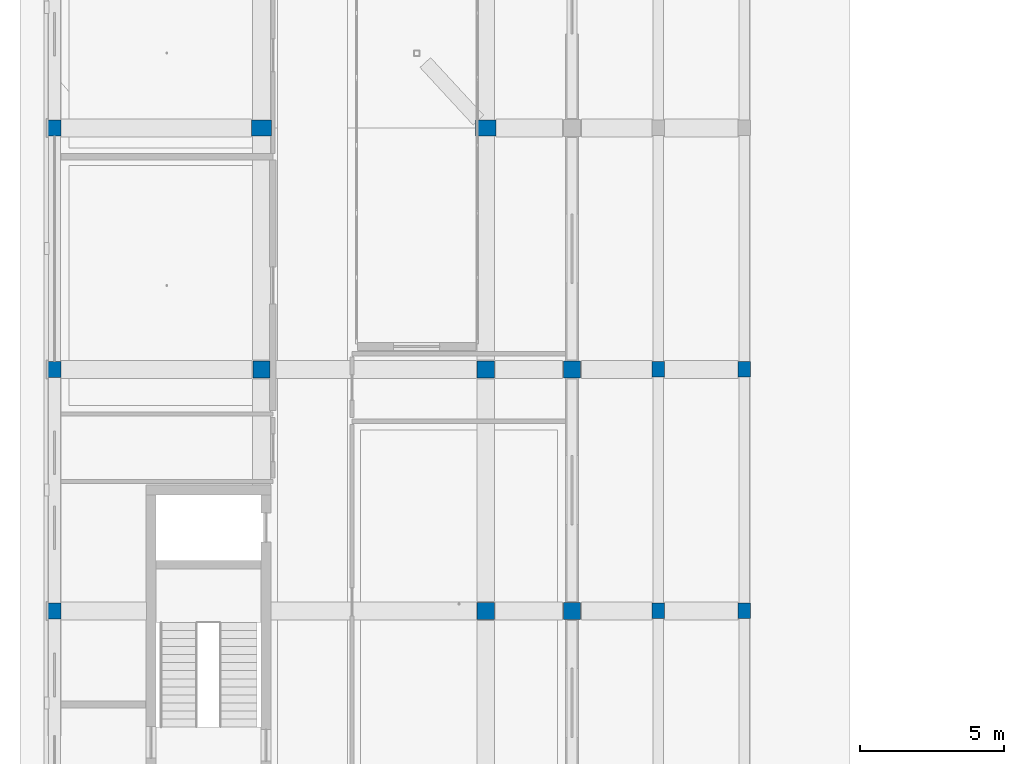
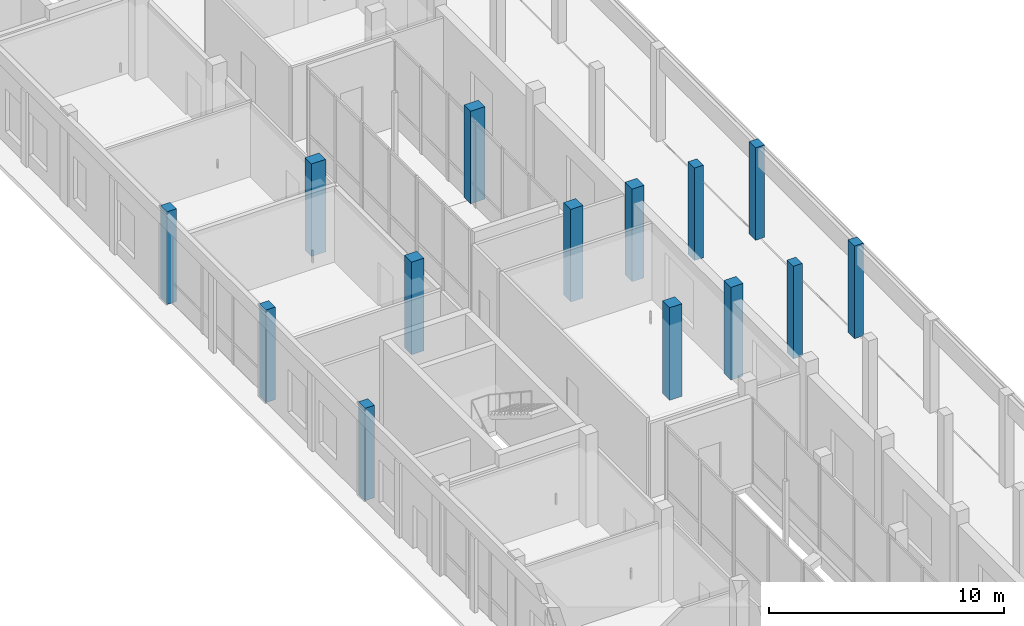
# One storey, part 3 of 88: 14 columns.
"""IFC4 building model written with IfcOpenShell, lengths in metres."""

from ifc_helpers import new_model, si_unit, derived_unit, direction, frame, origin, origin_2d, place, context, subcontext, project, spatial, rectangle, extrude, material, material_profile, profile_set, type_object, element, save


model = new_model("IFC4")

# Units and contexts
model_context = context("Model", 3, precision=1e-05, world=origin(), true_north=direction((0.0, 1.0)))
body_context = subcontext(model_context, "Body", "Model", "MODEL_VIEW")
ifc_project = project(units=[si_unit("LENGTHUNIT", "METRE"), si_unit("AREAUNIT", "SQUARE_METRE"), si_unit("VOLUMEUNIT", "CUBIC_METRE"), si_unit("PLANEANGLEUNIT", "RADIAN"), si_unit("MASSUNIT", "GRAM", prefix="KILO"), derived_unit("THERMALTRANSMITTANCEUNIT", [(si_unit("POWERUNIT", "WATT"), 1), (si_unit("LENGTHUNIT", "METRE"), -2), (si_unit("THERMODYNAMICTEMPERATUREUNIT", "KELVIN"), -1)])], contexts=[model_context])

# Site, building, storey
site_placement = place(None, origin())
site = spatial("IfcSite", under=ifc_project, at=site_placement, CompositionType="ELEMENT")
building_placement = place(site_placement, origin())
building = spatial("IfcBuilding", under=site, at=building_placement, Name="Braskholm Square Health Centre", CompositionType="ELEMENT")
storey_placement = place(building_placement, origin())
storey = spatial("IfcBuildingStorey", under=building, at=storey_placement, Name="L01", CompositionType="ELEMENT", Elevation=0.0)

# Columns
ifc_material_1 = material(Name="Concrete C40/50 (f'c = 40 MPa)", Category="concrete")
ifc_material_profile_1 = material_profile(ifc_material_1, rectangle(XDim=0.699951171875, YDim=0.550048828125, at=origin_2d()), Name="RC-700X550")
ifc_profile_set_1 = profile_set([ifc_material_profile_1], Name="Concrete C40/50 (f'c = 40 MPa)")
column_type_1 = type_object("IfcColumnType", Name="ColImagingHeavy700x550", PredefinedType="COLUMN", material=ifc_profile_set_1)
for number, where, z_axis, x_axis, name in (
    (1, (11.39990234375, 72.199951171875, 0.0), (0.0, 0.0, 1.0), (1.0, 0.0, 0.0), "Column 2/L L01"),
    (2, (19.199951171875, 72.199951171875, 0.0), (0.0, 0.0, 1.0), (1.0, 0.0, 0.0), "Column 3/L L01"),
):
    element("IfcColumn", number, at=place(storey_placement, frame(where, z_axis=z_axis, x_axis=x_axis)), inside=storey, type_object=column_type_1, Name=name, PredefinedType="COLUMN", context=body_context, shape_type="SweptSolid", body=[
        extrude(rectangle(XDim=0.699951171875, YDim=0.550048828125, at=origin_2d()), origin(), (0.0, 0.0, 1.0), 4.800048828125),
    ])
ifc_material_profile_2 = material_profile(ifc_material_1, rectangle(XDim=0.60009765625, YDim=0.60009765625, at=origin_2d()), Name="RC-600X600")
ifc_profile_set_2 = profile_set([ifc_material_profile_2], Name="Concrete C40/50 (f'c = 40 MPa)")
column_type_2 = type_object("IfcColumnType", Name="ColInteriorLow600", PredefinedType="COLUMN", material=ifc_profile_set_2)
for number, where, z_axis, x_axis, name in (
    (3, (11.39990234375, 63.800048828125, 0.0), (0.0, 0.0, 1.0), (1.0, 0.0, 0.0), "Column 2/K L01"),
    (4, (19.199951171875, 55.39990234375, 0.0), (0.0, 0.0, 1.0), (1.0, 0.0, 0.0), "Column 3/J L01"),
    (5, (19.199951171875, 63.800048828125, 0.0), (0.0, 0.0, 1.0), (1.0, 0.0, 0.0), "Column 3/K L01"),
    (6, (22.199951171875, 55.39990234375, 0.0), (0.0, 0.0, 1.0), (1.0, 0.0, 0.0), "Column 4/J L01"),
    (7, (22.199951171875, 63.800048828125, 0.0), (0.0, 0.0, 1.0), (1.0, 0.0, 0.0), "Column 4/K L01"),
):
    element("IfcColumn", number, at=place(storey_placement, frame(where, z_axis=z_axis, x_axis=x_axis)), inside=storey, type_object=column_type_2, Name=name, PredefinedType="COLUMN", context=body_context, shape_type="SweptSolid", body=[
        extrude(rectangle(XDim=0.60009765625, YDim=0.60009765625, at=origin_2d()), origin(), (0.0, 0.0, 1.0), 4.800048828125),
    ])
ifc_material_2 = material(Name="Precast concrete C40/50 architectural white", Category="concrete")
ifc_material_profile_3 = material_profile(ifc_material_2, rectangle(XDim=0.43994140625, YDim=0.5400390625, at=origin_2d()), Name="RC-440X540")
ifc_profile_set_3 = profile_set([ifc_material_profile_3], Name="Precast concrete C40/50 architectural white")
column_type_3 = type_object("IfcColumnType", Name="ColPilasterKasota440x540", PredefinedType="PILASTER", material=ifc_profile_set_3)
for number, where, z_axis, x_axis, name in (
    (8, (25.199951171875, 55.39990234375, 0.0), (0.0, 0.0, 1.0), (1.0, 0.0, 0.0), "Column 5/J L01"),
    (9, (25.199951171875, 63.800048828125, 0.0), (0.0, 0.0, 1.0), (1.0, 0.0, 0.0), "Column 5/K L01"),
    (10, (28.199951171875, 55.39990234375, 0.0), (0.0, 0.0, 1.0), (1.0, 0.0, 0.0), "Column 6/J L01"),
    (11, (28.199951171875, 63.800048828125, 0.0), (0.0, 0.0, 1.0), (1.0, 0.0, 0.0), "Column 6/K L01"),
):
    element("IfcColumn", number, at=place(storey_placement, frame(where, z_axis=z_axis, x_axis=x_axis)), inside=storey, type_object=column_type_3, Name=name, PredefinedType="PILASTER", context=body_context, shape_type="SweptSolid", body=[
        extrude(rectangle(XDim=0.43994140625, YDim=0.5400390625, at=origin_2d()), origin(), (0.0, 0.0, 1.0), 4.800048828125),
    ])
ifc_material_profile_4 = material_profile(ifc_material_2, rectangle(XDim=0.4599609375, YDim=0.56005859375, at=origin_2d()), Name="RC-460X560")
ifc_profile_set_4 = profile_set([ifc_material_profile_4], Name="Precast concrete C40/50 architectural white")
column_type_4 = type_object("IfcColumnType", Name="ColPrecastFrame460x560", PredefinedType="COLUMN", material=ifc_profile_set_4)
for number, where, z_axis, x_axis, name in (
    (12, (4.199951171875, 55.39990234375, 0.0), (0.0, 0.0, 1.0), (1.0, 0.0, 0.0), "Column 1/J L01"),
    (13, (4.199951171875, 63.800048828125, 0.0), (0.0, 0.0, 1.0), (1.0, 0.0, 0.0), "Column 1/K L01"),
    (14, (4.199951171875, 72.199951171875, 0.0), (0.0, 0.0, 1.0), (1.0, 0.0, 0.0), "Column 1/L L01"),
):
    element("IfcColumn", number, at=place(storey_placement, frame(where, z_axis=z_axis, x_axis=x_axis)), inside=storey, type_object=column_type_4, Name=name, PredefinedType="COLUMN", context=body_context, shape_type="SweptSolid", body=[
        extrude(rectangle(XDim=0.4599609375, YDim=0.56005859375, at=origin_2d()), origin(), (0.0, 0.0, 1.0), 4.800048828125),
    ])

save(model, "model.ifc")
